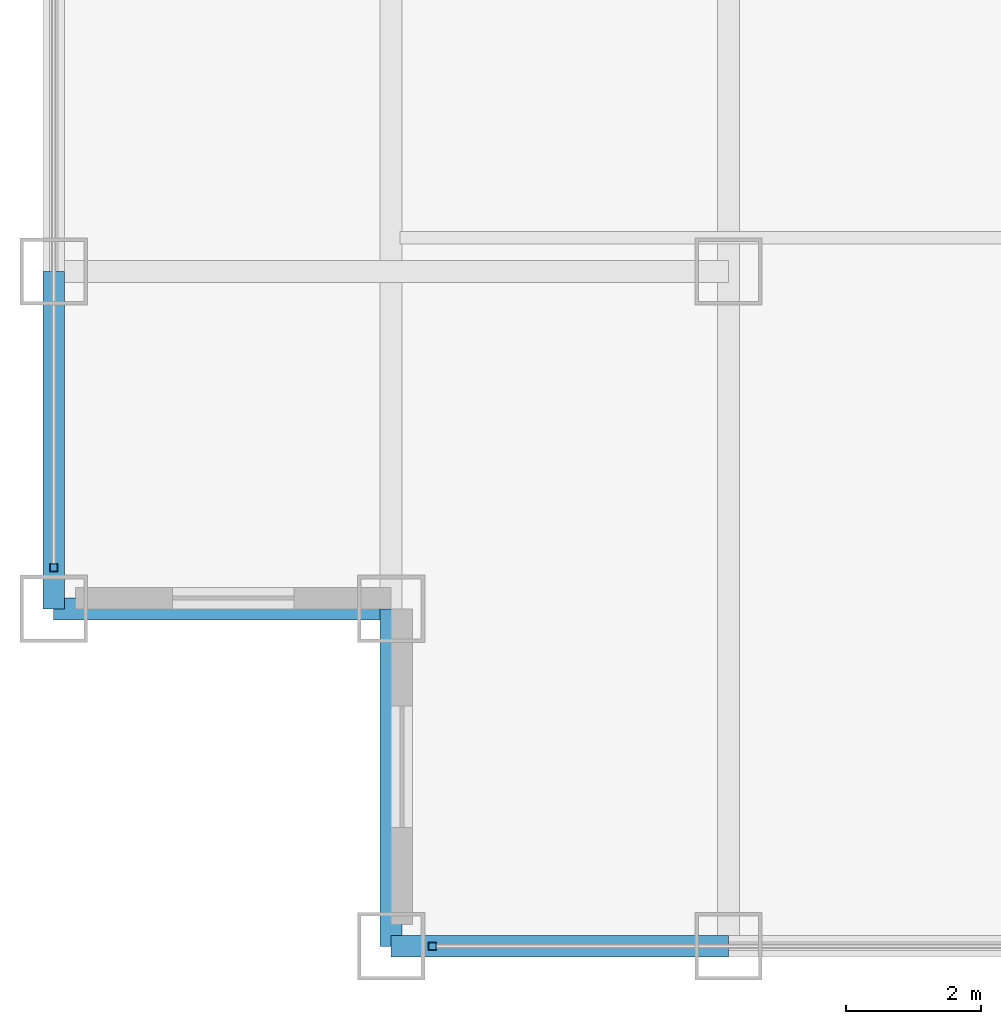
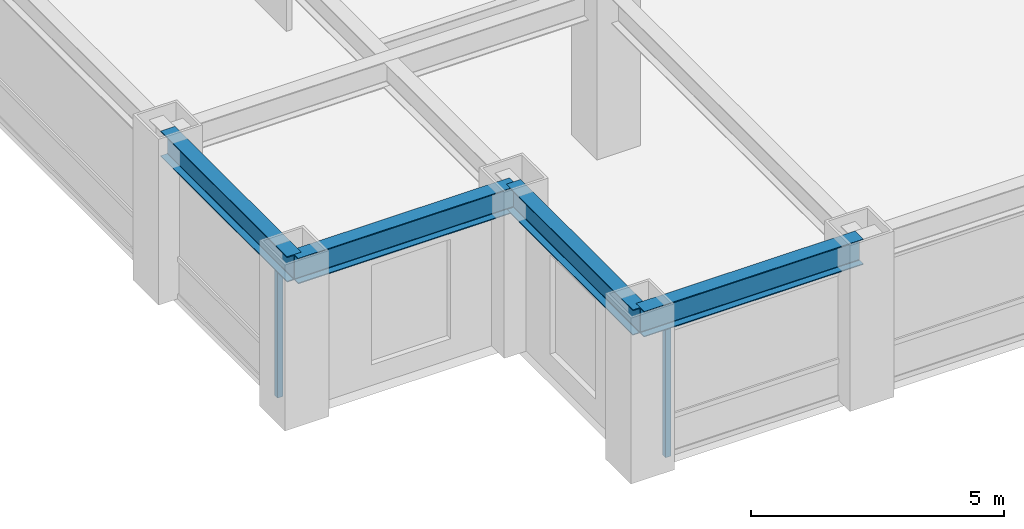
# One storey, part 2 of 25: 4 beams, 2 members, 2 elements without a shape of their own.
"""IFC4 building model written with IfcOpenShell, lengths in metres."""

from ifc_helpers import new_model, si_unit, direction, frame, origin, origin_2d, place, context, subcontext, project, spatial, hollow_rectangle, i_section, extrude, source, transform, mapped, material, material_profile, profile_set, type_object, element, aggregate, save


model = new_model("IFC4")

# Units and contexts
model_context = context("Model", 3, precision=1e-05, world=origin(), true_north=direction((0.0, 1.0)))
body_context = subcontext(model_context, "Body", "Model", "MODEL_VIEW")
ifc_project = project(units=[si_unit("LENGTHUNIT", "METRE"), si_unit("AREAUNIT", "SQUARE_METRE"), si_unit("VOLUMEUNIT", "CUBIC_METRE"), si_unit("PLANEANGLEUNIT", "RADIAN"), si_unit("MASSUNIT", "GRAM", prefix="KILO")], contexts=[model_context])

# Site, building, storey
site_placement = place(None, origin())
site = spatial("IfcSite", under=ifc_project, at=site_placement, CompositionType="ELEMENT")
building_placement = place(site_placement, origin())
building = spatial("IfcBuilding", under=site, at=building_placement, Name="Khorayat Bourse Tower", CompositionType="ELEMENT")
storey_placement = place(building_placement, frame((0.0, 0.0, 231.10009765625)))
storey = spatial("IfcBuildingStorey", under=building, at=storey_placement, Name="L54", CompositionType="ELEMENT", Elevation=231.10009765625)

# Beams
ifc_material_1 = material(Name="Steel ASTM A992 Grade 50", Category="steel")
ifc_material_profile_1 = material_profile(ifc_material_1, i_section(OverallWidth=0.324951171875, OverallDepth=0.615966796875, WebThickness=0.013916015625, FlangeThickness=0.021484375, FilletRadius=0.01611328125, at=origin_2d()), Name="W610X174")
ifc_profile_set_1 = profile_set([ifc_material_profile_1], Name="Steel ASTM A992 Grade 50")
beam_type = type_object("IfcBeamType", Name="BM-SPAN-610", PredefinedType="SPANDREL", material=ifc_profile_set_1)
shared_shape_1 = source(origin(), body_context, "Body", "SweptSolid", [
    extrude(i_section(OverallWidth=0.324951171875, OverallDepth=0.615966796875, WebThickness=0.013916015625, FlangeThickness=0.021484375, FilletRadius=0.01611328125, at=origin_2d()), origin(), (0.0, 0.0, 1.0), 5.0),
])
for number, where, z_axis, x_axis, name in (
    (1, (-25.0, -30.0, 3.471923828125), (1.0, 0.0, 0.0), (0.0, 1.0, 0.0), "L54 BM-SPAN-610 BM-L54-SPN-024"),
    (2, (-30.0, -25.0, 3.471923828125), (0.0, 1.0, 0.0), (-1.0, 0.0, 0.0), "L54 BM-SPAN-610 BM-L54-SPN-061"),
    (3, (-30.0, -25.0, 3.471923828125), (1.0, 0.0, 0.0), (0.0, 1.0, 0.0), "L54 BM-SPAN-610 BM-L54-SPN-062"),
    (4, (-25.0, -30.0, 3.471923828125), (0.0, 1.0, 0.0), (-1.0, 0.0, 0.0), "L54 BM-SPAN-610 BM-L54-SPN-063"),
):
    element("IfcBeam", number, at=place(storey_placement, frame(where, z_axis=z_axis, x_axis=x_axis)), inside=storey, type_object=beam_type, Name=name, PredefinedType="SPANDREL", context=body_context, shape_type="MappedRepresentation", body=[
        mapped(shared_shape_1, transform((0.0, 0.0, 0.0), scale=1.0)),
    ])

# Curtain wall, member
ifc_material_2 = material(Name="Aluminium EN AW-6063 T6", Category="aluminium")
curtain_wall_type = type_object("IfcCurtainWallType", Name="CW-SYS-03", PredefinedType="NOTDEFINED", material=ifc_material_2)
curtain_wall_1_placement = place(storey_placement, origin())
curtain_wall_1 = element("IfcCurtainWall", 5, at=curtain_wall_1_placement, inside=storey, type_object=curtain_wall_type, Name="L54 Curtain Wall CW-L54-S1", PredefinedType="NOTDEFINED")
ifc_material_profile_2 = material_profile(ifc_material_2, hollow_rectangle(XDim=0.1201171875, YDim=0.1201171875, WallThickness=0.0048828125, at=origin_2d()), Name="ALU 120x120x5")
ifc_profile_set_2 = profile_set([ifc_material_profile_2], Name="Aluminium EN AW-6063 T6")
member_type = type_object("IfcMemberType", Name="CWM-VERT-120", PredefinedType="MULLION", material=ifc_profile_set_2)
shared_shape_2 = source(origin(), body_context, "Body", "SweptSolid", [
    extrude(hollow_rectangle(XDim=0.1201171875, YDim=0.1201171875, WallThickness=0.0048828125, at=origin_2d()), origin(), (0.0, 0.0, 1.0), 3.1298828125),
])
member_1_placement = place(storey_placement, frame((-24.389892578125, -30.0, 0.0), z_axis=(0.0, 0.0, 1.0), x_axis=(0.0, 1.0, 0.0)))
member_1 = element("IfcMember", 6, at=member_1_placement, type_object=member_type, Name="CW-L54-S1 Vertical Mullion 1", PredefinedType="MULLION", context=body_context, shape_type="MappedRepresentation", body=[
    mapped(shared_shape_2, transform((0.0, 0.0, 0.0), scale=1.0)),
])
aggregate(curtain_wall_1, [member_1])

curtain_wall_2_placement = place(storey_placement, origin())
curtain_wall_2 = element("IfcCurtainWall", 7, at=curtain_wall_2_placement, inside=storey, type_object=curtain_wall_type, Name="L54 Curtain Wall CW-L54-W1", PredefinedType="NOTDEFINED")
member_2_placement = place(storey_placement, frame((-30.0, -24.389892578125, 0.0), z_axis=(0.0, 0.0, 1.0), x_axis=(-1.0, 0.0, 0.0)))
member_2 = element("IfcMember", 8, at=member_2_placement, type_object=member_type, Name="CW-L54-W1 Vertical Mullion 1", PredefinedType="MULLION", context=body_context, shape_type="MappedRepresentation", body=[
    mapped(shared_shape_2, transform((0.0, 0.0, 0.0), scale=1.0)),
])
aggregate(curtain_wall_2, [member_2])

save(model, "model.ifc")
